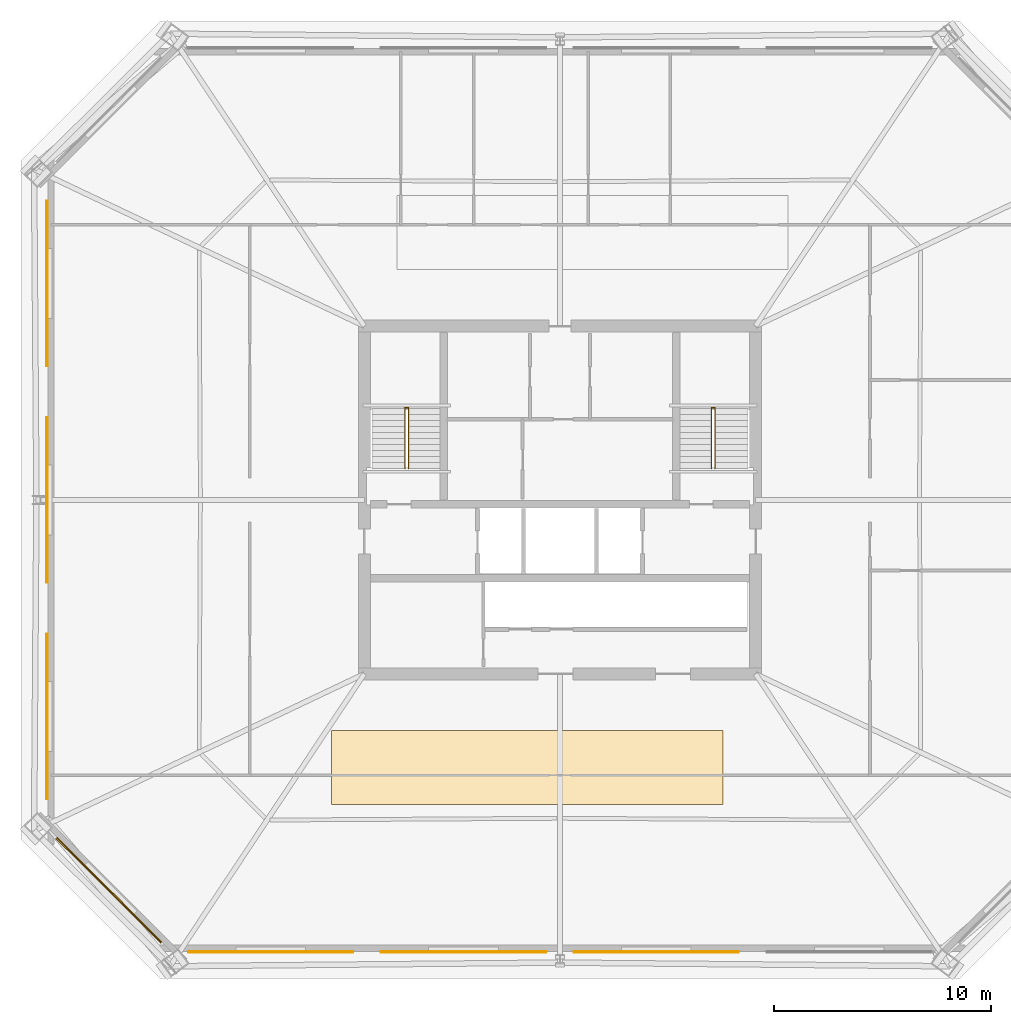
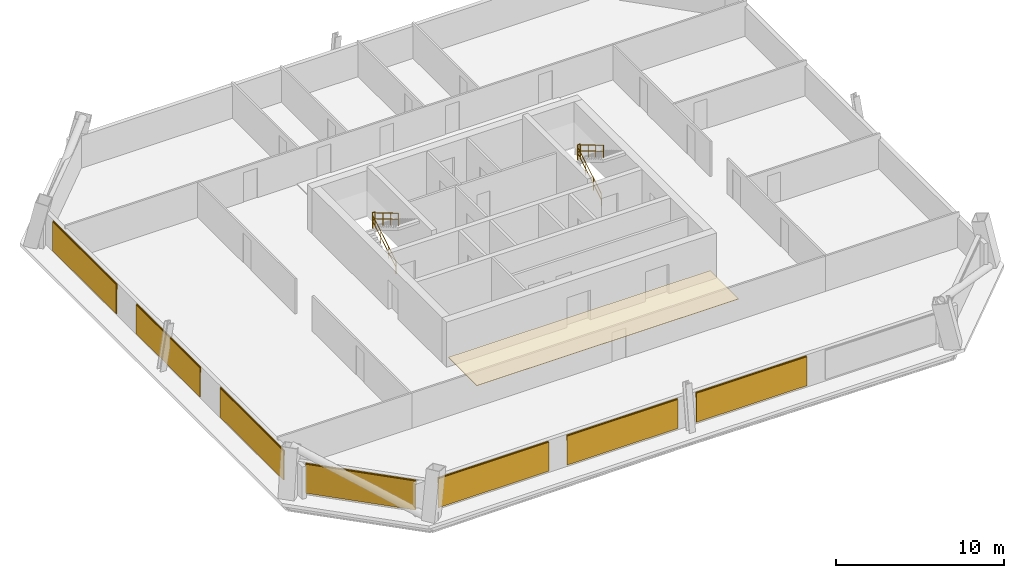
# One storey, part 5 of 6: 8 coverings, 7 shading devices, 6 railings.
"""IFC4 building model written with IfcOpenShell, lengths in metres."""

from ifc_helpers import new_model, si_unit, direction, frame, origin, origin_2d, place, context, subcontext, project, spatial, polyline, rectangle, circle, outline, extrude, material, layer, layer_set, type_object, element, save


model = new_model("IFC4")

# Units and contexts
model_context = context("Model", 3, precision=1e-05, world=origin(), true_north=direction((0.0, 1.0)))
body_context = subcontext(model_context, "Body", "Model", "MODEL_VIEW")
ifc_project = project(units=[si_unit("LENGTHUNIT", "METRE"), si_unit("AREAUNIT", "SQUARE_METRE"), si_unit("VOLUMEUNIT", "CUBIC_METRE"), si_unit("PLANEANGLEUNIT", "RADIAN"), si_unit("MASSUNIT", "GRAM", prefix="KILO")], contexts=[model_context])

# Site, building, storey
site_placement = place(None, origin())
site = spatial("IfcSite", under=ifc_project, at=site_placement, CompositionType="ELEMENT")
building_placement = place(site_placement, origin())
building = spatial("IfcBuilding", under=site, at=building_placement, Name="Caelvoria Tower", CompositionType="ELEMENT")
storey_placement = place(building_placement, frame((0.0, 0.0, 163.60009765625)))
storey = spatial("IfcBuildingStorey", under=building, at=storey_placement, Name="L43", CompositionType="ELEMENT", Elevation=163.60009765625)

# Coverings
ifc_material_1 = material(Name="Acoustic Mineral Fibre Tile", Category="gypsum")
ifc_layer_1 = layer(ifc_material_1, 0.02490234375, Name="Acoustic Mineral Fibre Tile")
ifc_layer_set_1 = layer_set([ifc_layer_1], Name="Mineral-Fibre Acoustic Suspended Ceiling 25 - Acoustic Mineral Fibre Tile")
covering_type_1 = type_object("IfcCoveringType", Name="Mineral-Fibre Acoustic Suspended Ceiling 25", PredefinedType="CEILING", material=ifc_layer_set_1)
covering_1_placement = place(storey_placement, frame((0.0, 0.0, 2.554931640625)))
element("IfcCovering", 1, at=covering_1_placement, inside=storey, type_object=covering_type_1, Name="Suspended Acoustic Ceiling L43", PredefinedType="CEILING", context=body_context, shape_type="SweptSolid", body=[
    extrude(outline(polyline([(35.5, 18.0), (53.5, 18.0), (53.5, 21.39990234375), (35.5, 21.39990234375), (35.5, 18.0)])), origin(), (0.0, 0.0, 1.0), 0.02490234375),
])
ifc_material_2 = material(Name="Perforated Architectural Bronze Cladding Screen", Category="bronze")
ifc_layer_2 = layer(ifc_material_2, 0.0400390625, Name="Perforated Architectural Bronze Cladding Screen")
ifc_layer_set_2 = layer_set([ifc_layer_2], Name="Perforated Bronze Louvre Cladding Band 40 - Perforated Architectural Bronze Cladding Screen")
covering_type_2 = type_object("IfcCoveringType", Name="Perforated Bronze Louvre Cladding Band 40", PredefinedType="CLADDING", material=ifc_layer_set_2)
for number, where, z_axis, x_axis, name in (
    (2, (32.695068359375, 11.22802734375, 1.9228515625), (0.0, 0.0, 1.0), (1.0, 0.0, 0.0), "Perforated Bronze Screen Band L43-E0-00"),
    (3, (41.56494140625, 11.22802734375, 1.9228515625), (0.0, 0.0, 1.0), (1.0, 0.0, 0.0), "Perforated Bronze Screen Band L43-E0-01"),
    (4, (50.43505859375, 11.22802734375, 1.9228515625), (0.0, 0.0, 1.0), (1.0, 0.0, 0.0), "Perforated Bronze Screen Band L43-E0-02"),
    (5, (22.427978515625, 41.9599609375, 1.9228515625), (0.0, 0.0, 1.0), (0.0, -1.0, 0.0), "Perforated Bronze Screen Band L43-E6-00"),
    (6, (22.427978515625, 32.0, 1.9228515625), (0.0, 0.0, 1.0), (0.0, -1.0, 0.0), "Perforated Bronze Screen Band L43-E6-01"),
    (7, (22.427978515625, 22.0400390625, 1.9228515625), (0.0, 0.0, 1.0), (0.0, -1.0, 0.0), "Perforated Bronze Screen Band L43-E6-02"),
):
    element("IfcCovering", number, at=place(storey_placement, frame(where, z_axis=z_axis, x_axis=x_axis)), inside=storey, type_object=covering_type_2, Name=name, PredefinedType="CLADDING", context=body_context, shape_type="SweptSolid", body=[
        extrude(rectangle(XDim=7.60009765625, YDim=0.0400390625, at=origin_2d()), origin(), (0.0, 0.0, 1.0), 0.39990234375),
    ])
covering_2_placement = place(storey_placement, frame((25.268310546875, 14.068359375, 1.9228515625), z_axis=(0.0, 0.0, 1.0), x_axis=(0.707106781187, -0.707106781187, 0.0)))
element("IfcCovering", 8, at=covering_2_placement, inside=storey, type_object=covering_type_2, Name="Perforated Bronze Screen Band L43-E7-00", PredefinedType="CLADDING", context=body_context, shape_type="SweptSolid", body=[
    extrude(rectangle(XDim=6.80322265625, YDim=0.0400390625, at=origin_2d()), origin(), (0.0, 0.0, 1.0), 0.39990234375),
])

# Shading devices
ifc_material_3 = material(Name="Perforated Architectural Bronze Alloy Panel", Category="bronze")
ifc_layer_3 = layer(ifc_material_3, 0.044921875, Name="Perforated Architectural Bronze Alloy Panel")
ifc_layer_set_3 = layer_set([ifc_layer_3], Name="Perforated Bronze Solar Screen Panel SCREEN - Perforated Architectural Bronze Alloy Panel")
shading_device_type = type_object("IfcShadingDeviceType", Name="Perforated Bronze Solar Screen Panel SCREEN", PredefinedType="USERDEFINED", material=ifc_layer_set_3)
for number, where, z_axis, x_axis, name in (
    (9, (32.695068359375, 11.18505859375, 0.159912109375), (0.0, 0.0, 1.0), (1.0, 0.0, 0.0), "Perforated Bronze Solar Screen L43-E0-00"),
    (10, (41.56494140625, 11.18505859375, 0.159912109375), (0.0, 0.0, 1.0), (1.0, 0.0, 0.0), "Perforated Bronze Solar Screen L43-E0-01"),
    (11, (50.43505859375, 11.18505859375, 0.159912109375), (0.0, 0.0, 1.0), (1.0, 0.0, 0.0), "Perforated Bronze Solar Screen L43-E0-02"),
    (12, (22.385009765625, 41.9599609375, 0.159912109375), (0.0, 0.0, 1.0), (0.0, -1.0, 0.0), "Perforated Bronze Solar Screen L43-E6-00"),
    (13, (22.385009765625, 32.0, 0.159912109375), (0.0, 0.0, 1.0), (0.0, -1.0, 0.0), "Perforated Bronze Solar Screen L43-E6-01"),
    (14, (22.385009765625, 22.0400390625, 0.159912109375), (0.0, 0.0, 1.0), (0.0, -1.0, 0.0), "Perforated Bronze Solar Screen L43-E6-02"),
):
    element("IfcShadingDevice", number, at=place(storey_placement, frame(where, z_axis=z_axis, x_axis=x_axis)), inside=storey, type_object=shading_device_type, Name=name, ObjectType="SCREEN", PredefinedType="USERDEFINED", context=body_context, shape_type="SweptSolid", body=[
        extrude(rectangle(XDim=7.60009765625, YDim=0.044921875, at=origin_2d()), origin(), (0.0, 0.0, 1.0), 2.10302734375),
    ])
shading_device_placement = place(storey_placement, frame((25.23779296875, 14.037841796875, 0.159912109375), z_axis=(0.0, 0.0, 1.0), x_axis=(0.707106781187, -0.707106781187, 0.0)))
element("IfcShadingDevice", 15, at=shading_device_placement, inside=storey, type_object=shading_device_type, Name="Perforated Bronze Solar Screen L43-E7-00", ObjectType="SCREEN", PredefinedType="USERDEFINED", context=body_context, shape_type="SweptSolid", body=[
    extrude(rectangle(XDim=6.80322265625, YDim=0.044921875, at=origin_2d()), origin(), (0.0, 0.0, 1.0), 2.10302734375),
])

# Railings
ifc_material_4 = material(Name="Brushed Stainless Steel Tube", Category="steel")
railing_type_1 = type_object("IfcRailingType", Name="Stair Tubular Stainless Handrail 920", PredefinedType="HANDRAIL", material=ifc_material_4)
railing_1_placement = place(storey_placement, frame((38.8701171875, 33.449951171875, 0.16357421875)))
element("IfcRailing", 16, at=railing_1_placement, inside=storey, type_object=railing_type_1, Name="ST-01 Flight 1 Handrail L43", PredefinedType="HANDRAIL", context=body_context, shape_type="SweptSolid", body=[
    extrude(circle(Radius=0.02392578125, at=origin_2d()), frame((0.0, 0.0, 0.89599609375), z_axis=(0.0, 0.859385484447, 0.511328259656), x_axis=(-1.0, 0.0, 0.0)), (0.0, 0.0, 1.0), 3.199951171875),
    extrude(circle(Radius=0.02392578125, at=origin_2d()), frame((0.0, 0.0, 0.4599609375), z_axis=(0.0, 0.859385484447, 0.511328259656), x_axis=(-1.0, 0.0, 0.0)), (0.0, 0.0, 1.0), 3.199951171875),
    extrude(circle(Radius=0.02099609375, at=origin_2d()), origin(), (0.0, 0.0, 1.0), 0.871826171875),
    extrude(circle(Radius=0.02099609375, at=origin_2d()), frame((0.0, 0.916748046875, 0.54541015625)), (0.0, 0.0, 1.0), 0.871826171875),
    extrude(circle(Radius=0.02099609375, at=origin_2d()), frame((0.0, 1.833251953125, 1.0908203125)), (0.0, 0.0, 1.0), 0.871826171875),
    extrude(circle(Radius=0.02099609375, at=origin_2d()), frame((0.0, 2.75, 1.63623046875)), (0.0, 0.0, 1.0), 0.871826171875),
])
railing_2_placement = place(storey_placement, frame((39.030029296875, 36.199951171875, 1.963623046875)))
element("IfcRailing", 17, at=railing_2_placement, inside=storey, type_object=railing_type_1, Name="ST-01 Flight 2 Handrail L43", PredefinedType="HANDRAIL", context=body_context, shape_type="SweptSolid", body=[
    extrude(circle(Radius=0.02392578125, at=origin_2d()), frame((0.0, 0.0, 0.89599609375), z_axis=(0.0, -0.859385484447, 0.511328259656), x_axis=(1.0, 0.0, 0.0)), (0.0, 0.0, 1.0), 3.199951171875),
    extrude(circle(Radius=0.02392578125, at=origin_2d()), frame((0.0, 0.0, 0.4599609375), z_axis=(0.0, -0.859385484447, 0.511328259656), x_axis=(1.0, 0.0, 0.0)), (0.0, 0.0, 1.0), 3.199951171875),
    extrude(circle(Radius=0.02099609375, at=origin_2d()), origin(), (0.0, 0.0, 1.0), 0.871826171875),
    extrude(circle(Radius=0.02099609375, at=origin_2d()), frame((0.0, -0.916748046875, 0.54541015625)), (0.0, 0.0, 1.0), 0.871826171875),
    extrude(circle(Radius=0.02099609375, at=origin_2d()), frame((0.0, -1.833251953125, 1.0908203125)), (0.0, 0.0, 1.0), 0.871826171875),
    extrude(circle(Radius=0.02099609375, at=origin_2d()), frame((0.0, -2.75, 1.63623046875)), (0.0, 0.0, 1.0), 0.871826171875),
])
railing_3_placement = place(storey_placement, frame((52.969970703125, 33.449951171875, 0.16357421875)))
element("IfcRailing", 18, at=railing_3_placement, inside=storey, type_object=railing_type_1, Name="ST-02 Flight 1 Handrail L43", PredefinedType="HANDRAIL", context=body_context, shape_type="SweptSolid", body=[
    extrude(circle(Radius=0.02392578125, at=origin_2d()), frame((0.0, 0.0, 0.89599609375), z_axis=(0.0, 0.859385484447, 0.511328259656), x_axis=(-1.0, 0.0, 0.0)), (0.0, 0.0, 1.0), 3.199951171875),
    extrude(circle(Radius=0.02392578125, at=origin_2d()), frame((0.0, 0.0, 0.4599609375), z_axis=(0.0, 0.859385484447, 0.511328259656), x_axis=(-1.0, 0.0, 0.0)), (0.0, 0.0, 1.0), 3.199951171875),
    extrude(circle(Radius=0.02099609375, at=origin_2d()), origin(), (0.0, 0.0, 1.0), 0.871826171875),
    extrude(circle(Radius=0.02099609375, at=origin_2d()), frame((0.0, 0.916748046875, 0.54541015625)), (0.0, 0.0, 1.0), 0.871826171875),
    extrude(circle(Radius=0.02099609375, at=origin_2d()), frame((0.0, 1.833251953125, 1.0908203125)), (0.0, 0.0, 1.0), 0.871826171875),
    extrude(circle(Radius=0.02099609375, at=origin_2d()), frame((0.0, 2.75, 1.63623046875)), (0.0, 0.0, 1.0), 0.871826171875),
])
railing_4_placement = place(storey_placement, frame((53.1298828125, 36.199951171875, 1.963623046875)))
element("IfcRailing", 19, at=railing_4_placement, inside=storey, type_object=railing_type_1, Name="ST-02 Flight 2 Handrail L43", PredefinedType="HANDRAIL", context=body_context, shape_type="SweptSolid", body=[
    extrude(circle(Radius=0.02392578125, at=origin_2d()), frame((0.0, 0.0, 0.89599609375), z_axis=(0.0, -0.859385484447, 0.511328259656), x_axis=(1.0, 0.0, 0.0)), (0.0, 0.0, 1.0), 3.199951171875),
    extrude(circle(Radius=0.02392578125, at=origin_2d()), frame((0.0, 0.0, 0.4599609375), z_axis=(0.0, -0.859385484447, 0.511328259656), x_axis=(1.0, 0.0, 0.0)), (0.0, 0.0, 1.0), 3.199951171875),
    extrude(circle(Radius=0.02099609375, at=origin_2d()), origin(), (0.0, 0.0, 1.0), 0.871826171875),
    extrude(circle(Radius=0.02099609375, at=origin_2d()), frame((0.0, -0.916748046875, 0.54541015625)), (0.0, 0.0, 1.0), 0.871826171875),
    extrude(circle(Radius=0.02099609375, at=origin_2d()), frame((0.0, -1.833251953125, 1.0908203125)), (0.0, 0.0, 1.0), 0.871826171875),
    extrude(circle(Radius=0.02099609375, at=origin_2d()), frame((0.0, -2.75, 1.63623046875)), (0.0, 0.0, 1.0), 0.871826171875),
])
ifc_material_5 = material(Name="Brushed Stainless Steel Guardrail", Category="steel")
railing_type_2 = type_object("IfcRailingType", Name="Stair Well and Ramp Guardrail 1120", PredefinedType="GUARDRAIL", material=ifc_material_5)
for number, where, name in (
    (20, (38.8701171875, 36.239990234375, 1.7998046875), "ST-01 Half-Landing Well Guard L43"),
    (21, (52.969970703125, 36.239990234375, 1.7998046875), "ST-02 Half-Landing Well Guard L43"),
):
    element("IfcRailing", number, at=place(storey_placement, frame(where)), inside=storey, type_object=railing_type_2, Name=name, PredefinedType="GUARDRAIL", context=body_context, shape_type="SweptSolid", body=[
        extrude(circle(Radius=0.02392578125, at=origin_2d()), frame((0.0, 0.0, 1.09619140625), z_axis=(1.0, 0.0, 0.0), x_axis=(0.0, 1.0, 0.0)), (0.0, 0.0, 1.0), 0.159912109375),
        extrude(circle(Radius=0.02392578125, at=origin_2d()), frame((0.0, 0.0, 0.56005859375), z_axis=(1.0, 0.0, 0.0), x_axis=(0.0, 1.0, 0.0)), (0.0, 0.0, 1.0), 0.159912109375),
        extrude(circle(Radius=0.02099609375, at=origin_2d()), origin(), (0.0, 0.0, 1.0), 1.072021484375),
        extrude(circle(Radius=0.02099609375, at=origin_2d()), frame((0.159912109375, 0.0, 0.0)), (0.0, 0.0, 1.0), 1.072021484375),
    ])

save(model, "model.ifc")
